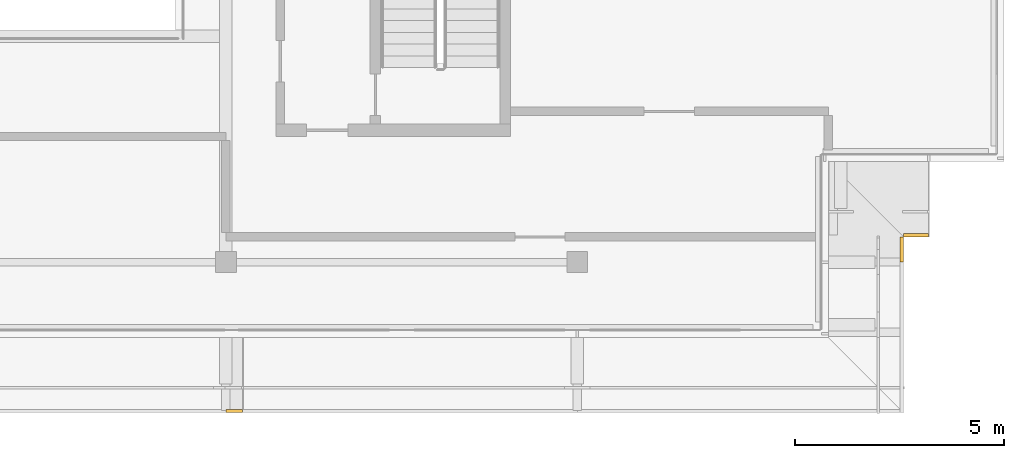
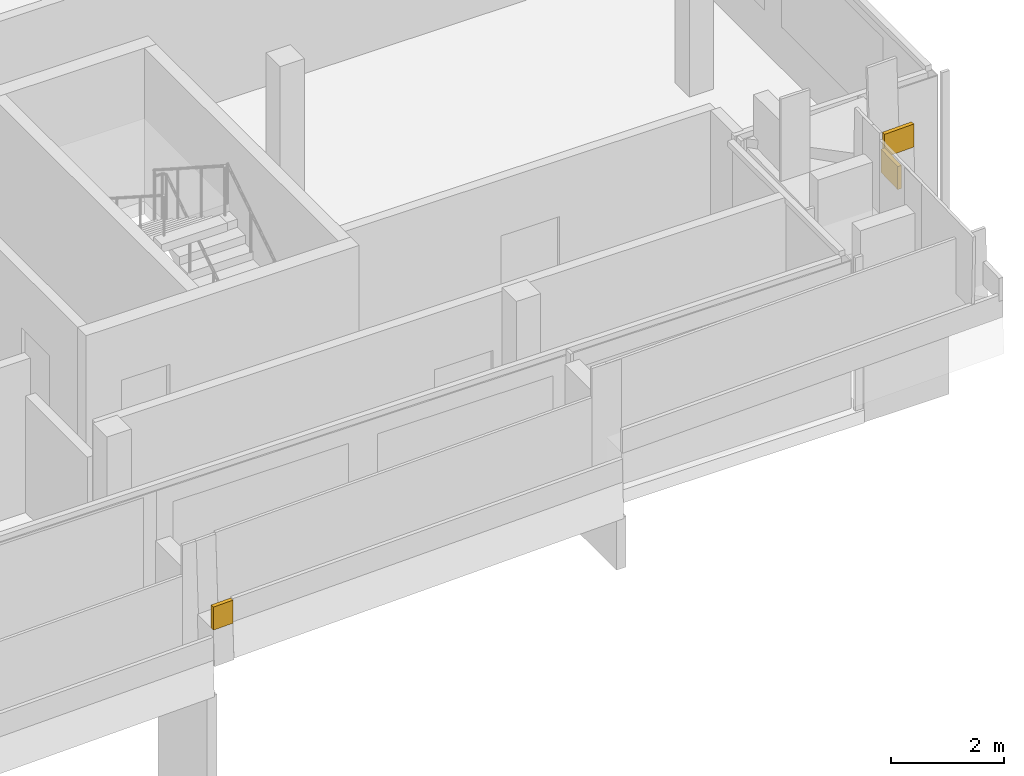
# One storey, part 20 of 21: 3 coverings.
"""IFC4 building model written with IfcOpenShell, lengths in metres."""

import ifcopenshell
import ifcopenshell.guid

model = None  # the IFC model being written
_history = None  # IfcOwnerHistory: only IFC2X3 demands one
_inside = {}  # id of a spatial element -> (the spatial element, [elements in it])
_under = {}  # id of a project, library or spatial element -> (it, [spatial elements below it])
_declared = {}  # id of a project -> (the project, [libraries it declares])
_typed = {}  # id of a type object -> (the type object, [elements of that type])
_made_of = {}  # id of a material, layer set ... -> (it, [elements and type objects made of it])


def new_model(schema):
    """Start an empty IFC model of exactly this schema.

    Asked for "IFC4X3", IfcOpenShell would pick the latest addendum, in which some entities
    have other attributes; the version numbers below select the first issue.
    IFC2X3 requires an IfcOwnerHistory on every rooted entity: one is made here for all.
    """
    global model, _history
    if schema == "IFC4X3":
        model = ifcopenshell.file(schema_version=(4, 3, 0, 0))
    else:
        model = ifcopenshell.file(schema=schema)
    _inside.clear()
    _under.clear()
    _declared.clear()
    _typed.clear()
    _made_of.clear()
    _history = None
    if model.schema == "IFC2X3":
        org = make("IfcOrganization", Name="unknown")
        user = make(
            "IfcPersonAndOrganization",
            ThePerson=make("IfcPerson", FamilyName="unknown"),
            TheOrganization=org,
        )
        app = make(
            "IfcApplication",
            ApplicationDeveloper=org,
            Version="unknown",
            ApplicationFullName="unknown",
            ApplicationIdentifier="unknown",
        )
        _history = make(
            "IfcOwnerHistory",
            OwningUser=user,
            OwningApplication=app,
            ChangeAction="ADDED",
            CreationDate=0,
        )
    return model


def make(cls, **values):
    """One entity of the class cls with the attributes given. An attribute that is None is left unset."""
    return model.create_entity(
        cls, **{name: value for name, value in values.items() if value is not None}
    )


def rooted(cls, **values):
    """An entity with a GlobalId (a new one), such as an element, a storey or a relation."""
    return make(cls, GlobalId=ifcopenshell.guid.new(), OwnerHistory=_history, **values)


def si_unit(unit_type, name, prefix=None):
    """IfcSIUnit, for example si_unit("LENGTHUNIT", "METRE", prefix="MILLI")."""
    return make("IfcSIUnit", UnitType=unit_type, Prefix=prefix, Name=name)


def assignment(units):
    """IfcUnitAssignment: the units of a project."""
    return None if units is None else make("IfcUnitAssignment", Units=units)


def point(xyz):
    """IfcCartesianPoint."""
    return None if xyz is None else make("IfcCartesianPoint", Coordinates=xyz)


def direction(xyz):
    """IfcDirection."""
    return None if xyz is None else make("IfcDirection", DirectionRatios=xyz)


def frame(location, z_axis=None, x_axis=None):
    """IfcAxis2Placement3D, a coordinate frame: its origin and axes. An axis left out is left unset."""
    return make(
        "IfcAxis2Placement3D",
        Location=point(location),
        Axis=direction(z_axis),
        RefDirection=direction(x_axis),
    )


def origin():
    """The frame at (0, 0, 0) with its axes left unset."""
    return frame((0.0, 0.0, 0.0))


def place(relative_to, where):
    """IfcLocalPlacement: puts the frame where relative to a parent placement (None: the world)."""
    return make(
        "IfcLocalPlacement", PlacementRelTo=relative_to, RelativePlacement=where
    )


def context(
    kind, dimensions, precision=None, world=None, true_north=None, identifier=None
):
    """IfcGeometricRepresentationContext, for example the 3D "Model" context."""
    return make(
        "IfcGeometricRepresentationContext",
        ContextIdentifier=identifier,
        ContextType=kind,
        CoordinateSpaceDimension=dimensions,
        Precision=precision,
        WorldCoordinateSystem=world,
        TrueNorth=true_north,
    )


def subcontext(parent, identifier, kind, view, scale=None):
    """IfcGeometricRepresentationSubContext, for example "Body" below "Model"."""
    return make(
        "IfcGeometricRepresentationSubContext",
        ContextIdentifier=identifier,
        ContextType=kind,
        ParentContext=parent,
        TargetScale=scale,
        TargetView=view,
    )


def project(units=None, contexts=None):
    """IfcProject with its units and contexts."""
    return rooted(
        "IfcProject",
        Name="project",
        RepresentationContexts=contexts,
        UnitsInContext=assignment(units),
    )


def spatial(cls, under=None, at=None, **own):
    """A site, building, storey or space (cls), placed at a placement, below another one or the project."""
    s = rooted(cls, ObjectPlacement=at, **own)
    if under is not None:
        _under.setdefault(under.id(), (under, []))[1].append(s)
    return s


def polyline(points):
    """IfcPolyline through the points."""
    return make("IfcPolyline", Points=[point(p) for p in points])


def outline(outer, holes=None, kind="AREA"):
    """IfcArbitraryClosedProfileDef: a profile drawn as a closed curve; with holes, ...WithVoids."""
    if holes is None:
        return make("IfcArbitraryClosedProfileDef", ProfileType=kind, OuterCurve=outer)
    return make(
        "IfcArbitraryProfileDefWithVoids",
        ProfileType=kind,
        OuterCurve=outer,
        InnerCurves=holes,
    )


def extrude(swept, where, along, depth):
    """IfcExtrudedAreaSolid: the profile swept, set in the frame where, extruded along a direction by depth."""
    return make(
        "IfcExtrudedAreaSolid",
        SweptArea=swept,
        Position=where,
        ExtrudedDirection=direction(along),
        Depth=depth,
    )


def shape(context_of_items, identifier, shape_type, items):
    """IfcShapeRepresentation: the items that make up one representation, for example the "Body"."""
    return make(
        "IfcShapeRepresentation",
        ContextOfItems=context_of_items,
        RepresentationIdentifier=identifier,
        RepresentationType=shape_type,
        Items=items,
    )


def material(Name=None, Category=None):
    """IfcMaterial."""
    return make("IfcMaterial", Name=Name, Category=Category)


def layer(
    of_material, thickness, ventilated=None, Name=None, Category=None, Priority=None
):
    """IfcMaterialLayer: one layer of a wall or slab, of a material (None: an air gap)."""
    return make(
        "IfcMaterialLayer",
        Material=of_material,
        LayerThickness=thickness,
        IsVentilated=ventilated,
        Name=Name,
        Category=Category,
        Priority=Priority,
    )


def layer_set(layers, Name=None):
    """IfcMaterialLayerSet."""
    return make("IfcMaterialLayerSet", MaterialLayers=layers, LayerSetName=Name)


def made_of(thing, what):
    """Note that an element or type object is made of a material, layer set ...; save() writes the relation."""
    if what is not None:
        _made_of.setdefault(what.id(), (what, []))[1].append(thing)
    return thing


def type_object(cls, material=None, **own):
    """A type object (cls), such as IfcWallType, which elements share."""
    return made_of(rooted(cls, **own), material)


def element(
    cls,
    number,
    at=None,
    inside=None,
    cuts=None,
    type_object=None,
    material=None,
    context=None,
    identifier="Body",
    shape_type=None,
    held_by="IfcProductDefinitionShape",
    body=None,
    shapes=None,
    **own,
):
    """One element of the class cls, such as IfcWall. Its Tag is "e" and its number.

    at: its placement. inside: the storey or other place that contains it. cuts: it is an
    opening in that element (IfcRelVoidsElement). A single representation is given by context,
    identifier, shape_type and body (its items); several are given by shapes. held_by: the class
    of the entity that holds the representations. save() writes the other relations.
    """
    e = rooted(cls, Tag="e%d" % number, ObjectPlacement=at, **own)
    if body is not None:
        shapes = [shape(context, identifier, shape_type, body)]
    if shapes is not None:
        e.Representation = make(held_by, Representations=shapes)
    if inside is not None:
        _inside.setdefault(inside.id(), (inside, []))[1].append(e)
    if cuts is not None:
        rooted(
            "IfcRelVoidsElement", RelatingBuildingElement=cuts, RelatedOpeningElement=e
        )
    if type_object is not None:
        _typed.setdefault(type_object.id(), (type_object, []))[1].append(e)
    return made_of(e, material)


def aggregate(whole, parts):
    """IfcRelAggregates: a whole, such as a stair, and the parts it consists of."""
    return rooted("IfcRelAggregates", RelatingObject=whole, RelatedObjects=parts)


def save(model, path):
    """Write the relations noted so far, then the file.

    IfcRelAggregates (storeys below a building ...), IfcRelContainedInSpatialStructure (elements
    in a storey), IfcRelDefinesByType, IfcRelAssociatesMaterial and IfcRelDeclares: one each for
    every whole, place, type object, material and project.
    """
    for whole, parts in _under.values():
        aggregate(whole, parts)
    for where, things in _inside.values():
        rooted(
            "IfcRelContainedInSpatialStructure",
            RelatedElements=things,
            RelatingStructure=where,
        )
    for kind, things in _typed.values():
        rooted("IfcRelDefinesByType", RelatedObjects=things, RelatingType=kind)
    for what, things in _made_of.values():
        rooted("IfcRelAssociatesMaterial", RelatedObjects=things, RelatingMaterial=what)
    for by, libraries in _declared.values():
        rooted("IfcRelDeclares", RelatingContext=by, RelatedDefinitions=libraries)
    model.write(path)


model = new_model("IFC4")

# Units and contexts
model_context = context("Model", 3, precision=1e-05, world=origin(), true_north=direction((0.0, 1.0)))
body_context = subcontext(model_context, "Body", "Model", "MODEL_VIEW")
ifc_project = project(units=[si_unit("LENGTHUNIT", "METRE"), si_unit("AREAUNIT", "SQUARE_METRE"), si_unit("VOLUMEUNIT", "CUBIC_METRE"), si_unit("PLANEANGLEUNIT", "RADIAN"), si_unit("MASSUNIT", "GRAM", prefix="KILO")], contexts=[model_context])

# Site, building, storey
site_placement = place(None, origin())
site = spatial("IfcSite", under=ifc_project, at=site_placement, CompositionType="ELEMENT")
building_placement = place(site_placement, origin())
building = spatial("IfcBuilding", under=site, at=building_placement, Name="Saffron Gate Tower", CompositionType="ELEMENT")
storey_placement = place(building_placement, frame((0.0, 0.0, 299.550048828125)))
storey = spatial("IfcBuildingStorey", under=building, at=storey_placement, Name="L73", CompositionType="ELEMENT", Elevation=299.550048828125)

# Coverings
ifc_material = material(Name="Timber, thermally modified ash", Category="wood")
ifc_layer = layer(ifc_material, 0.080078125)
ifc_layer_set = layer_set([ifc_layer], Name="LD2 ledge planter trough")
covering_type = type_object("IfcCoveringType", Name="LD2 ledge planter trough", PredefinedType="CLADDING", material=ifc_layer_set)
covering_1_placement = place(storey_placement, frame((100.199951171875, 36.60009765625, 1.35498046875), z_axis=(0.0, -1.0, 0.0), x_axis=(0.999589096284, 0.0, 0.028664238881)))
element("IfcCovering", 1, at=covering_1_placement, inside=storey, type_object=covering_type, Name="LEDGE planter trough", PredefinedType="CLADDING", context=body_context, shape_type="SweptSolid", body=[
    extrude(outline(polyline([(0.0, 0.0), (0.40031097364171886, -1.734723475976807e-18), (0.4146430930820291, 0.4997945481418826), (0.014332119440310242, 0.4997945481418827), (0.0, 0.0)])), origin(), (0.0, 0.0, -1.0), 0.080078125),
])
covering_2_placement = place(storey_placement, frame((116.39990234375, 40.199951171875, 3.083740234375), z_axis=(1.0, 0.0, 0.0), x_axis=(0.0, 0.999583081391, 0.028873229772)))
element("IfcCovering", 2, at=covering_2_placement, inside=storey, type_object=covering_type, Name="LEDGE planter trough", PredefinedType="CLADDING", context=body_context, shape_type="SweptSolid", body=[
    extrude(outline(polyline([(0.0, 0.0), (0.6003479524834376, -3.469446951953614e-18), (0.6147845673692678, 0.4997915406953566), (0.014436614885830073, 0.4997915406953566), (0.0, 0.0)])), origin(), (0.0, 0.0, -1.0), 0.080078125),
])
covering_3_placement = place(storey_placement, frame((116.39990234375, 40.800048828125, 3.391845703125), z_axis=(0.0, -1.0, 0.0), x_axis=(0.999594735783, 0.0, 0.028466896463)))
element("IfcCovering", 3, at=covering_3_placement, inside=storey, type_object=covering_type, Name="LEDGE planter trough", PredefinedType="CLADDING", context=body_context, shape_type="SweptSolid", body=[
    extrude(outline(polyline([(0.0, 0.0), (0.6003409529560203, 0.0), (0.6145744011872722, 0.499797367891677), (0.014233448231251987, 0.49979736789167695), (0.0, 0.0)])), origin(), (0.0, 0.0, -1.0), 0.080078125),
])

save(model, "model.ifc")
